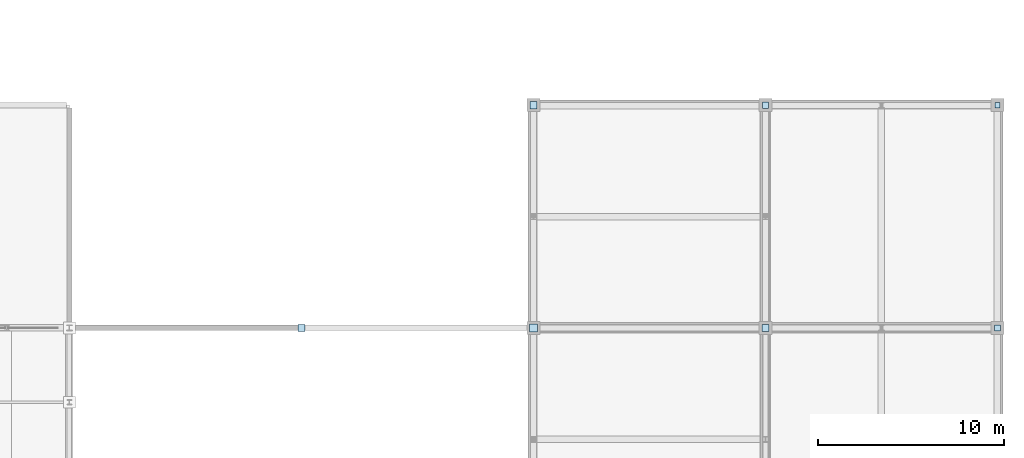
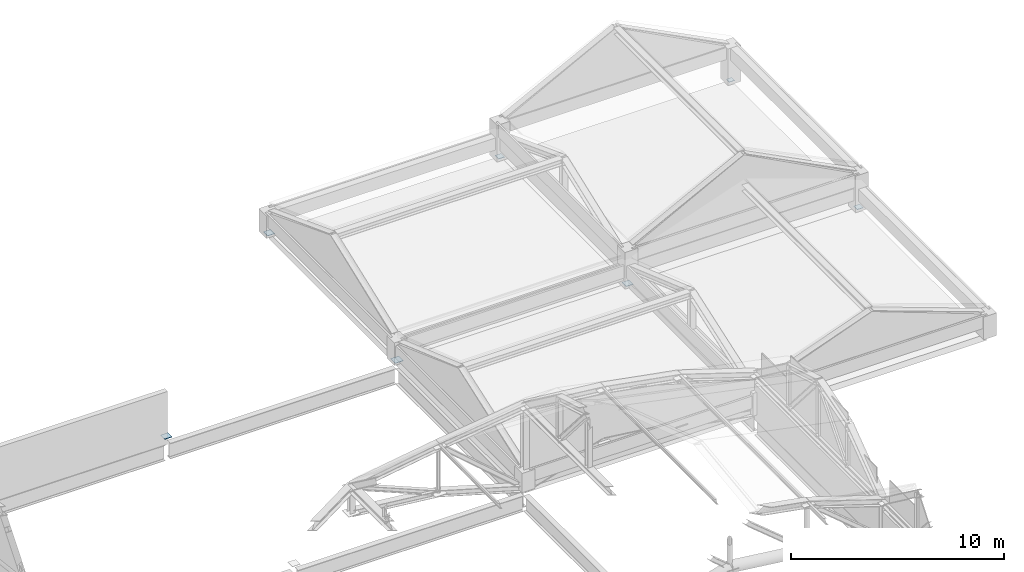
# One storey, part 108 of 117: 7 plates.
"""IFC4 building model written with IfcOpenShell, lengths in metres."""

from ifc_helpers import new_model, si_unit, direction, frame, origin, origin_2d, place, context, subcontext, project, spatial, rectangle, extrude, material, layer, layer_set, type_object, element, save


model = new_model("IFC4")

# Units and contexts
model_context = context("Model", 3, precision=1e-05, world=origin(), true_north=direction((0.0, 1.0)))
body_context = subcontext(model_context, "Body", "Model", "MODEL_VIEW")
ifc_project = project(units=[si_unit("LENGTHUNIT", "METRE"), si_unit("AREAUNIT", "SQUARE_METRE"), si_unit("VOLUMEUNIT", "CUBIC_METRE"), si_unit("PLANEANGLEUNIT", "RADIAN"), si_unit("MASSUNIT", "GRAM", prefix="KILO")], contexts=[model_context])

# Site, building, storey
site_placement = place(None, origin())
site = spatial("IfcSite", under=ifc_project, at=site_placement, CompositionType="ELEMENT")
building_placement = place(site_placement, origin())
building = spatial("IfcBuilding", under=site, at=building_placement, Name="Kazenohara Klinker Stadium", CompositionType="ELEMENT")
storey_placement = place(building_placement, frame((0.0, 0.0, 31.199951171875)))
storey = spatial("IfcBuildingStorey", under=building, at=storey_placement, Name="RF", CompositionType="ELEMENT", Elevation=31.199951171875)

# Plates
ifc_material = material(Name="Steel S355", Category="steel")
ifc_layer_1 = layer(ifc_material, 0.02001953125)
ifc_layer_set_1 = layer_set([ifc_layer_1], Name="Steel S355")
plate_type_1 = type_object("IfcPlateType", Name="PLT-GP01", PredefinedType="USERDEFINED", material=ifc_layer_set_1)
plate_1_placement = place(storey_placement, frame((175.0, 144.0, -0.010009765625), z_axis=(0.0, 0.0, 1.0), x_axis=(1.0, 0.0, 0.0)))
element("IfcPlate", 1, at=plate_1_placement, inside=storey, type_object=plate_type_1, Name="Hollow column end-cap plate GP01 RF 15/N", ObjectType="GUSSET PLATE", PredefinedType="USERDEFINED", context=body_context, shape_type="SweptSolid", body=[
    extrude(rectangle(XDim=0.43994140625, YDim=0.43994140625, at=origin_2d()), origin(), (0.0, 0.0, 1.0), 0.02001953125),
])
plate_2_placement = place(storey_placement, frame((175.0, 156.0, -0.010009765625), z_axis=(0.0, 0.0, 1.0), x_axis=(1.0, 0.0, 0.0)))
element("IfcPlate", 2, at=plate_2_placement, inside=storey, type_object=plate_type_1, Name="Hollow column end-cap plate GP01 RF 15/P", ObjectType="GUSSET PLATE", PredefinedType="USERDEFINED", context=body_context, shape_type="SweptSolid", body=[
    extrude(rectangle(XDim=0.389892578125, YDim=0.389892578125, at=origin_2d()), origin(), (0.0, 0.0, 1.0), 0.02001953125),
])
plate_3_placement = place(storey_placement, frame((200.0, 156.0, -0.010009765625), z_axis=(0.0, 0.0, 1.0), x_axis=(1.0, 0.0, 0.0)))
element("IfcPlate", 3, at=plate_3_placement, inside=storey, type_object=plate_type_1, Name="Hollow column end-cap plate GP01 RF 17/P", ObjectType="GUSSET PLATE", PredefinedType="USERDEFINED", context=body_context, shape_type="SweptSolid", body=[
    extrude(rectangle(XDim=0.2900390625, YDim=0.2900390625, at=origin_2d()), origin(), (0.0, 0.0, 1.0), 0.02001953125),
])
ifc_layer_2 = layer(ifc_material, 0.02197265625)
ifc_layer_set_2 = layer_set([ifc_layer_2], Name="Steel S355")
plate_type_2 = type_object("IfcPlateType", Name="PLT-GP02", PredefinedType="USERDEFINED", material=ifc_layer_set_2)
for number, where, z_axis, x_axis, name in (
    (4, (187.5, 156.0, -0.010986328125), (0.0, 0.0, 1.0), (1.0, 0.0, 0.0), "Hollow column end-cap plate GP02 RF 16/P"),
    (5, (200.0, 144.0, -0.010986328125), (0.0, 0.0, 1.0), (1.0, 0.0, 0.0), "Hollow column end-cap plate GP02 RF 17/N"),
):
    element("IfcPlate", number, at=place(storey_placement, frame(where, z_axis=z_axis, x_axis=x_axis)), inside=storey, type_object=plate_type_2, Name=name, ObjectType="GUSSET PLATE", PredefinedType="USERDEFINED", context=body_context, shape_type="SweptSolid", body=[
        extrude(rectangle(XDim=0.340087890625, YDim=0.340087890625, at=origin_2d()), origin(), (0.0, 0.0, 1.0), 0.02197265625),
    ])
ifc_layer_3 = layer(ifc_material, 0.02392578125)
ifc_layer_set_3 = layer_set([ifc_layer_3], Name="Steel S355")
plate_type_3 = type_object("IfcPlateType", Name="PLT-GP03", PredefinedType="USERDEFINED", material=ifc_layer_set_3)
plate_4_placement = place(storey_placement, frame((187.5, 144.0, -0.011962890625), z_axis=(0.0, 0.0, 1.0), x_axis=(1.0, 0.0, 0.0)))
element("IfcPlate", 6, at=plate_4_placement, inside=storey, type_object=plate_type_3, Name="Hollow column end-cap plate GP03 RF 16/N", ObjectType="GUSSET PLATE", PredefinedType="USERDEFINED", context=body_context, shape_type="SweptSolid", body=[
    extrude(rectangle(XDim=0.389892578125, YDim=0.389892578125, at=origin_2d()), origin(), (0.0, 0.0, 1.0), 0.02392578125),
])
ifc_layer_4 = layer(ifc_material, 0.02490234375)
ifc_layer_set_4 = layer_set([ifc_layer_4], Name="Steel S355")
plate_type_4 = type_object("IfcPlateType", Name="PLT-GP04", PredefinedType="USERDEFINED", material=ifc_layer_set_4)
plate_5_placement = place(storey_placement, frame((162.5, 144.0, -0.012451171875), z_axis=(0.0, 0.0, 1.0), x_axis=(1.0, 0.0, 0.0)))
element("IfcPlate", 7, at=plate_5_placement, inside=storey, type_object=plate_type_4, Name="Hollow column end-cap plate GP04 RF 14/N", ObjectType="GUSSET PLATE", PredefinedType="USERDEFINED", context=body_context, shape_type="SweptSolid", body=[
    extrude(rectangle(XDim=0.389892578125, YDim=0.389892578125, at=origin_2d()), origin(), (0.0, 0.0, 1.0), 0.02490234375),
])

save(model, "model.ifc")
